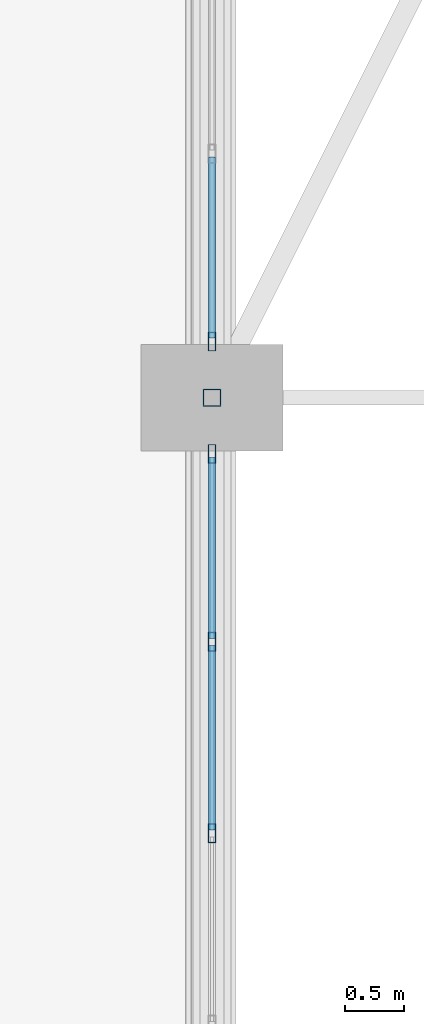
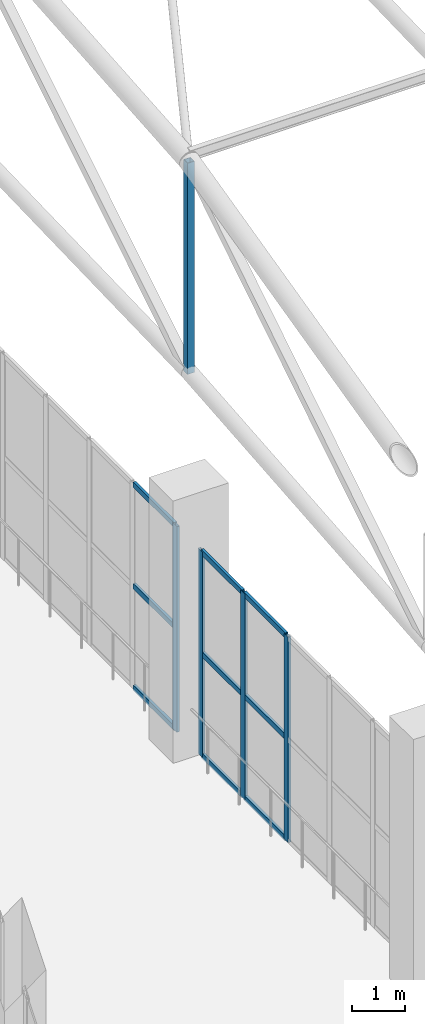
# One storey, part 38 of 223: 14 members, 2 elements without a shape of their own.
"""IFC4 building model written with IfcOpenShell, lengths in metres."""

from ifc_helpers import new_model, si_unit, direction, frame, origin, origin_2d, place, context, subcontext, project, spatial, hollow_rectangle, extrude, material, layer, layer_set, material_profile, profile_set, type_object, element, aggregate, save


model = new_model("IFC4")

# Units and contexts
model_context = context("Model", 3, precision=1e-05, world=origin(), true_north=direction((0.0, 1.0)))
body_context = subcontext(model_context, "Body", "Model", "MODEL_VIEW")
ifc_project = project(units=[si_unit("LENGTHUNIT", "METRE"), si_unit("AREAUNIT", "SQUARE_METRE"), si_unit("VOLUMEUNIT", "CUBIC_METRE"), si_unit("PLANEANGLEUNIT", "RADIAN"), si_unit("MASSUNIT", "GRAM", prefix="KILO")], contexts=[model_context])

# Site, building, storey
site_placement = place(None, origin())
site = spatial("IfcSite", under=ifc_project, at=site_placement, CompositionType="ELEMENT")
building_placement = place(site_placement, origin())
building = spatial("IfcBuilding", under=site, at=building_placement, Name="Dornveld Trade and Exhibition Forum", CompositionType="ELEMENT")
storey_placement = place(building_placement, frame((0.0, 0.0, 6.0)))
storey = spatial("IfcBuildingStorey", under=building, at=storey_placement, Name="L01", CompositionType="ELEMENT", Elevation=6.0)

# Curtain wall, members
ifc_material_1 = material(Name="Dark-bronze anodised aluminium and low-E glass", Category="aluminium")
ifc_layer_1 = layer(ifc_material_1, 0.172119140625)
ifc_layer_set_1 = layer_set([ifc_layer_1], Name="Dark-bronze anodised aluminium and low-E glass")
curtain_wall_type_1 = type_object("IfcCurtainWallType", Name="CW-SYS-10", PredefinedType="USERDEFINED", material=ifc_layer_set_1)
curtain_wall_1_placement = place(storey_placement, origin())
curtain_wall_1 = element("IfcCurtainWall", 1, at=curtain_wall_1_placement, inside=storey, type_object=curtain_wall_type_1, Name="L01 unitised curtain wall 10", ObjectType="UNITISED_CURTAIN_WALL", PredefinedType="USERDEFINED")
ifc_material_2 = material(Name="Dark-bronze anodised aluminium", Category="aluminium")
ifc_material_profile_1 = material_profile(ifc_material_2, hollow_rectangle(XDim=0.06005859375, YDim=0.159912109375, WallThickness=0.00390625, at=origin_2d()), Name="RHS 160x60x4")
ifc_profile_set_1 = profile_set([ifc_material_profile_1], Name="Dark-bronze anodised aluminium")
member_type_1 = type_object("IfcMemberType", Name="CW-MUL-160", PredefinedType="MULLION", material=ifc_profile_set_1)
member_1_placement = place(storey_placement, frame((99.0, 125.52392578125, -0.00390625), z_axis=(0.0, 0.0, 1.0), x_axis=(1.0, 0.0, 0.0)))
member_1 = element("IfcMember", 2, at=member_1_placement, type_object=member_type_1, Name="CW-10 mullion 1", PredefinedType="MULLION", context=body_context, shape_type="SweptSolid", body=[
    extrude(hollow_rectangle(XDim=0.06005859375, YDim=0.159912109375, WallThickness=0.00390625, at=origin_2d()), origin(), (0.0, 0.0, 1.0), 4.703857421875),
])
member_2_placement = place(storey_placement, frame((99.0, 123.932373046875, -0.00390625), z_axis=(0.0, 0.0, 1.0), x_axis=(1.0, 0.0, 0.0)))
member_2 = element("IfcMember", 3, at=member_2_placement, type_object=member_type_1, Name="CW-10 mullion 2", PredefinedType="MULLION", context=body_context, shape_type="SweptSolid", body=[
    extrude(hollow_rectangle(XDim=0.06005859375, YDim=0.159912109375, WallThickness=0.00390625, at=origin_2d()), origin(), (0.0, 0.0, 1.0), 4.703857421875),
])
member_3_placement = place(storey_placement, frame((99.0, 122.310791015625, -0.00390625), z_axis=(0.0, 0.0, 1.0), x_axis=(1.0, 0.0, 0.0)))
member_3 = element("IfcMember", 4, at=member_3_placement, type_object=member_type_1, Name="CW-10 mullion 3", PredefinedType="MULLION", context=body_context, shape_type="SweptSolid", body=[
    extrude(hollow_rectangle(XDim=0.06005859375, YDim=0.159912109375, WallThickness=0.00390625, at=origin_2d()), origin(), (0.0, 0.0, 1.0), 4.703857421875),
])

# Curtain wall, member
ifc_material_3 = material(Name="Dark-bronze anodised aluminium and low-E glass", Category="aluminium")
ifc_layer_2 = layer(ifc_material_3, 0.177978515625)
ifc_layer_set_2 = layer_set([ifc_layer_2], Name="Dark-bronze anodised aluminium and low-E glass")
curtain_wall_type_2 = type_object("IfcCurtainWallType", Name="CW-SYS-12", PredefinedType="USERDEFINED", material=ifc_layer_set_2)
curtain_wall_2_placement = place(storey_placement, origin())
curtain_wall_2 = element("IfcCurtainWall", 5, at=curtain_wall_2_placement, inside=storey, type_object=curtain_wall_type_2, Name="L01 unitised curtain wall 12", ObjectType="UNITISED_CURTAIN_WALL", PredefinedType="USERDEFINED")
member_4_placement = place(storey_placement, frame((99.0, 126.47607421875, -0.00390625), z_axis=(0.0, 0.0, 1.0), x_axis=(1.0, 0.0, 0.0)))
member_4 = element("IfcMember", 6, at=member_4_placement, type_object=member_type_1, Name="CW-12 mullion 6", PredefinedType="MULLION", context=body_context, shape_type="SweptSolid", body=[
    extrude(hollow_rectangle(XDim=0.06005859375, YDim=0.159912109375, WallThickness=0.00390625, at=origin_2d()), origin(), (0.0, 0.0, 1.0), 4.703857421875),
])

# Member
ifc_material_4 = material(Name="Dark-bronze anodised aluminium", Category="aluminium")
ifc_material_profile_2 = material_profile(ifc_material_4, hollow_rectangle(XDim=0.06005859375, YDim=0.1201171875, WallThickness=0.00390625, at=origin_2d()), Name="RHS 120x60x4")
ifc_profile_set_2 = profile_set([ifc_material_profile_2], Name="Dark-bronze anodised aluminium")
member_type_2 = type_object("IfcMemberType", Name="CW-TRN-120", PredefinedType="USERDEFINED", material=ifc_profile_set_2)
member_5_placement = place(storey_placement, frame((99.0, 125.493896484375, 0.02587890625), z_axis=(0.0, -1.0, 0.0), x_axis=(1.0, 0.0, 0.0)))
member_5 = element("IfcMember", 7, at=member_5_placement, type_object=member_type_2, Name="CW-10 transom 1.1", ObjectType="TRANSOM", PredefinedType="USERDEFINED", context=body_context, shape_type="SweptSolid", body=[
    extrude(hollow_rectangle(XDim=0.06005859375, YDim=0.1201171875, WallThickness=0.00390625, at=origin_2d()), origin(), (0.0, 0.0, 1.0), 1.531494140625),
])

member_6_placement = place(storey_placement, frame((99.0, 125.493896484375, 2.347900390625), z_axis=(0.0, -1.0, 0.0), x_axis=(1.0, 0.0, 0.0)))
member_6 = element("IfcMember", 8, at=member_6_placement, type_object=member_type_2, Name="CW-10 transom 1.2", ObjectType="TRANSOM", PredefinedType="USERDEFINED", context=body_context, shape_type="SweptSolid", body=[
    extrude(hollow_rectangle(XDim=0.06005859375, YDim=0.1201171875, WallThickness=0.00390625, at=origin_2d()), origin(), (0.0, 0.0, 1.0), 1.531494140625),
])

member_7_placement = place(storey_placement, frame((99.0, 125.493896484375, 4.669921875), z_axis=(0.0, -1.0, 0.0), x_axis=(1.0, 0.0, 0.0)))
member_7 = element("IfcMember", 9, at=member_7_placement, type_object=member_type_2, Name="CW-10 transom 1.3", ObjectType="TRANSOM", PredefinedType="USERDEFINED", context=body_context, shape_type="SweptSolid", body=[
    extrude(hollow_rectangle(XDim=0.06005859375, YDim=0.1201171875, WallThickness=0.00390625, at=origin_2d()), origin(), (0.0, 0.0, 1.0), 1.531494140625),
])

member_8_placement = place(storey_placement, frame((99.0, 123.90234375, 0.02587890625), z_axis=(0.0, -1.0, 0.0), x_axis=(1.0, 0.0, 0.0)))
member_8 = element("IfcMember", 10, at=member_8_placement, type_object=member_type_2, Name="CW-10 transom 2.1", ObjectType="TRANSOM", PredefinedType="USERDEFINED", context=body_context, shape_type="SweptSolid", body=[
    extrude(hollow_rectangle(XDim=0.06005859375, YDim=0.1201171875, WallThickness=0.00390625, at=origin_2d()), origin(), (0.0, 0.0, 1.0), 1.5615234375),
])

member_9_placement = place(storey_placement, frame((99.0, 123.90234375, 2.347900390625), z_axis=(0.0, -1.0, 0.0), x_axis=(1.0, 0.0, 0.0)))
member_9 = element("IfcMember", 11, at=member_9_placement, type_object=member_type_2, Name="CW-10 transom 2.2", ObjectType="TRANSOM", PredefinedType="USERDEFINED", context=body_context, shape_type="SweptSolid", body=[
    extrude(hollow_rectangle(XDim=0.06005859375, YDim=0.1201171875, WallThickness=0.00390625, at=origin_2d()), origin(), (0.0, 0.0, 1.0), 1.5615234375),
])

member_10_placement = place(storey_placement, frame((99.0, 123.90234375, 4.669921875), z_axis=(0.0, -1.0, 0.0), x_axis=(1.0, 0.0, 0.0)))
member_10 = element("IfcMember", 12, at=member_10_placement, type_object=member_type_2, Name="CW-10 transom 2.3", ObjectType="TRANSOM", PredefinedType="USERDEFINED", context=body_context, shape_type="SweptSolid", body=[
    extrude(hollow_rectangle(XDim=0.06005859375, YDim=0.1201171875, WallThickness=0.00390625, at=origin_2d()), origin(), (0.0, 0.0, 1.0), 1.5615234375),
])

aggregate(curtain_wall_1, [member_1, member_2, member_3, member_5, member_6, member_7, member_8, member_9, member_10])

member_11_placement = place(storey_placement, frame((99.0, 128.03759765625, 0.02587890625), z_axis=(0.0, -1.0, 0.0), x_axis=(1.0, 0.0, 0.0)))
member_11 = element("IfcMember", 13, at=member_11_placement, type_object=member_type_2, Name="CW-12 transom 5.1", ObjectType="TRANSOM", PredefinedType="USERDEFINED", context=body_context, shape_type="SweptSolid", body=[
    extrude(hollow_rectangle(XDim=0.06005859375, YDim=0.1201171875, WallThickness=0.00390625, at=origin_2d()), origin(), (0.0, 0.0, 1.0), 1.531494140625),
])

member_12_placement = place(storey_placement, frame((99.0, 128.03759765625, 2.347900390625), z_axis=(0.0, -1.0, 0.0), x_axis=(1.0, 0.0, 0.0)))
member_12 = element("IfcMember", 14, at=member_12_placement, type_object=member_type_2, Name="CW-12 transom 5.2", ObjectType="TRANSOM", PredefinedType="USERDEFINED", context=body_context, shape_type="SweptSolid", body=[
    extrude(hollow_rectangle(XDim=0.06005859375, YDim=0.1201171875, WallThickness=0.00390625, at=origin_2d()), origin(), (0.0, 0.0, 1.0), 1.531494140625),
])

member_13_placement = place(storey_placement, frame((99.0, 128.03759765625, 4.669921875), z_axis=(0.0, -1.0, 0.0), x_axis=(1.0, 0.0, 0.0)))
member_13 = element("IfcMember", 15, at=member_13_placement, type_object=member_type_2, Name="CW-12 transom 5.3", ObjectType="TRANSOM", PredefinedType="USERDEFINED", context=body_context, shape_type="SweptSolid", body=[
    extrude(hollow_rectangle(XDim=0.06005859375, YDim=0.1201171875, WallThickness=0.00390625, at=origin_2d()), origin(), (0.0, 0.0, 1.0), 1.531494140625),
])

aggregate(curtain_wall_2, [member_4, member_11, member_12, member_13])

ifc_material_5 = material(Name="Steel S355J2", Category="steel")
ifc_material_profile_3 = material_profile(ifc_material_5, hollow_rectangle(XDim=0.14990234375, YDim=0.14990234375, WallThickness=0.008056640625, at=origin_2d()), Name="SHS 150x150x8")
ifc_profile_set_3 = profile_set([ifc_material_profile_3], Name="Steel S355J2")
member_type_3 = type_object("IfcMemberType", Name="MEM-ARCH-STR", PredefinedType="STRUT", material=ifc_profile_set_3)
member_14_placement = place(storey_placement, frame((99.0, 126.0, 8.4833984375), z_axis=(0.0, 0.0, 1.0), x_axis=(1.0, 0.0, 0.0)))
element("IfcMember", 16, at=member_14_placement, inside=storey, type_object=member_type_3, Name="H1 truss 1 strut 3", PredefinedType="STRUT", context=body_context, shape_type="SweptSolid", body=[
    extrude(hollow_rectangle(XDim=0.14990234375, YDim=0.14990234375, WallThickness=0.008056640625, at=origin_2d()), origin(), (0.0, 0.0, 1.0), 4.833251953125),
])

save(model, "model.ifc")
